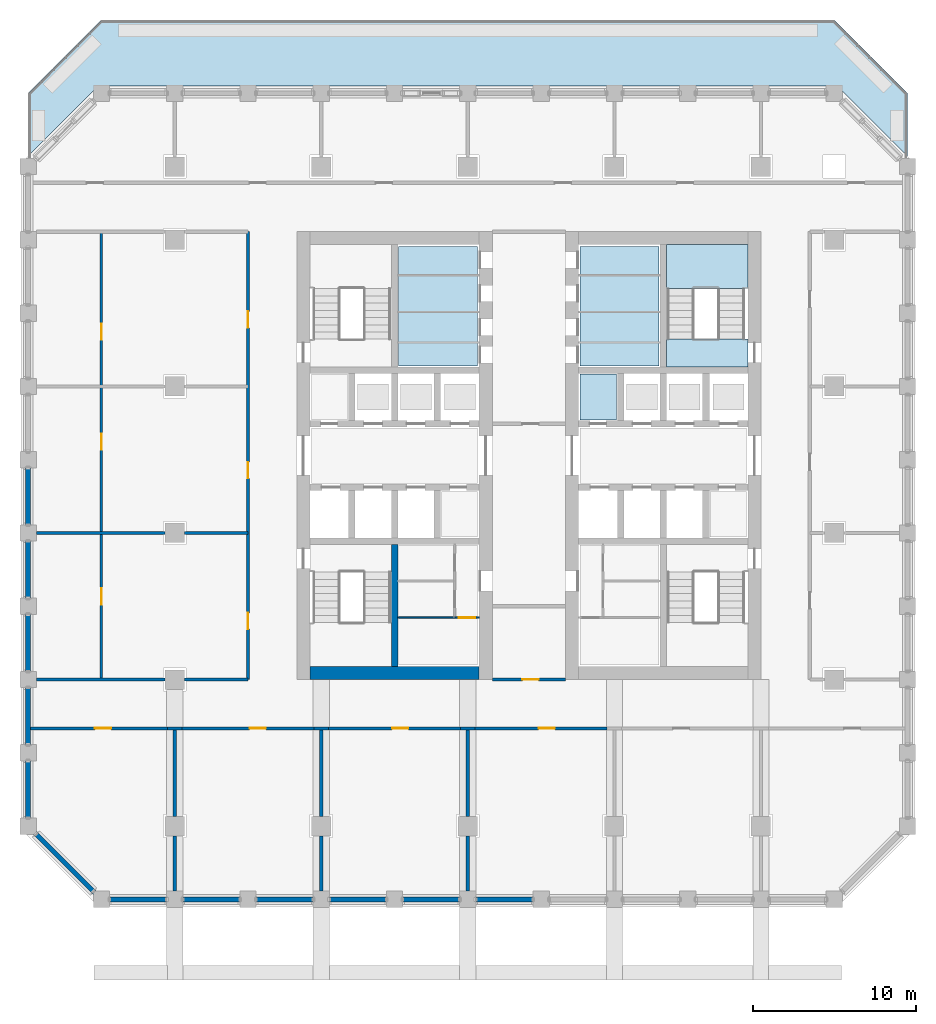
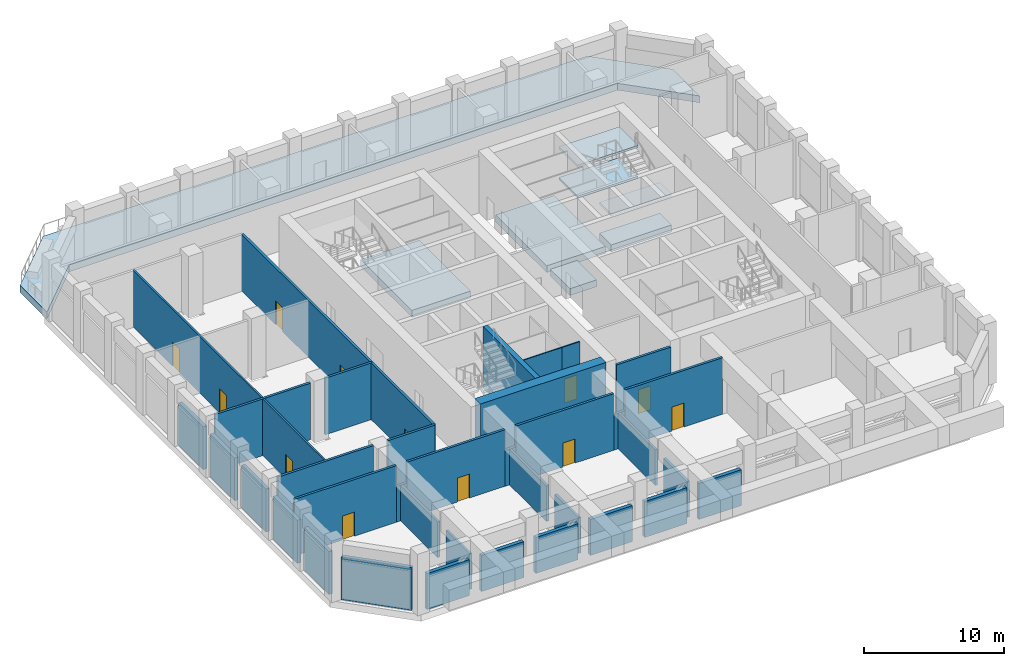
# One storey, part 3 of 20: 36 walls, 12 doors, 8 slabs, 12 openings, 1 element without a shape of its own.
"""IFC4 building model written with IfcOpenShell, lengths in metres."""

from ifc_helpers import new_model, si_unit, direction, frame, frame_2d, origin, place, context, subcontext, project, spatial, polyline, rectangle, outline, extrude, material, layer, layer_set, type_object, element, fill, aggregate, save


model = new_model("IFC4")

# Units and contexts
model_context = context("Model", 3, precision=1e-05, world=origin(), true_north=direction((0.0, 1.0)))
body_context = subcontext(model_context, "Body", "Model", "MODEL_VIEW")
ifc_project = project(units=[si_unit("LENGTHUNIT", "METRE"), si_unit("AREAUNIT", "SQUARE_METRE"), si_unit("VOLUMEUNIT", "CUBIC_METRE"), si_unit("PLANEANGLEUNIT", "RADIAN"), si_unit("MASSUNIT", "GRAM", prefix="KILO")], contexts=[model_context])

# Site, building, storey
site_placement = place(None, origin())
site = spatial("IfcSite", under=ifc_project, at=site_placement, CompositionType="ELEMENT")
building_placement = place(site_placement, origin())
building = spatial("IfcBuilding", under=site, at=building_placement, Name="Corbel Stack Research Tower", CompositionType="ELEMENT")
storey_placement = place(building_placement, frame((0.0, 0.0, 151.39990234375)))
storey = spatial("IfcBuildingStorey", under=building, at=storey_placement, Name="L34", CompositionType="ELEMENT", Elevation=151.39990234375)

# Slabs
ifc_material_1 = material(Name="Concrete C45/55", Category="concrete")
ifc_layer_1 = layer(ifc_material_1, 0.60009765625)
ifc_layer_set_1 = layer_set([ifc_layer_1], Name="Concrete C45/55")
slab_type_1 = type_object("IfcSlabType", Name="PT-600", PredefinedType="FLOOR", material=ifc_layer_set_1)
slab_1_placement = place(storey_placement, frame((0.0, 0.0, -0.599853515625)))
element("IfcSlab", 1, at=slab_1_placement, inside=storey, type_object=slab_type_1, Name="West core floor L34", PredefinedType="FLOOR", context=body_context, shape_type="SweptSolid", body=[
    extrude(outline(polyline([(0.60009765625, 17.60009765625), (-4.25, 17.60009765625), (-4.25, 10.25), (0.60009765625, 10.25), (0.60009765625, 17.60009765625)])), origin(), (0.0, 0.0, 1.0), 0.599853515625),
])
slab_2_placement = place(storey_placement, frame((0.0, 0.0, -0.599853515625)))
element("IfcSlab", 2, at=slab_2_placement, inside=storey, type_object=slab_type_1, Name="East core floor L34", PredefinedType="FLOOR", context=body_context, shape_type="SweptSolid", body=[
    extrude(outline(polyline([(6.89990234375, 6.949951171875), (9.125, 6.949951171875), (9.125, 9.75), (6.89990234375, 9.75), (6.89990234375, 6.949951171875)])), origin(), (0.0, 0.0, 1.0), 0.599853515625),
])
slab_3_placement = place(storey_placement, frame((0.0, 0.0, -0.599853515625)))
element("IfcSlab", 3, at=slab_3_placement, inside=storey, type_object=slab_type_1, Name="East core floor L34", PredefinedType="FLOOR", context=body_context, shape_type="SweptSolid", body=[
    extrude(outline(polyline([(6.89990234375, 17.60009765625), (6.89990234375, 10.25), (11.75, 10.25), (11.75, 17.60009765625), (6.89990234375, 17.60009765625)])), origin(), (0.0, 0.0, 1.0), 0.599853515625),
])
slab_4_placement = place(storey_placement, frame((0.0, 0.0, -0.599853515625)))
element("IfcSlab", 4, at=slab_4_placement, inside=storey, type_object=slab_type_1, Name="Stair floor landing ST-E2", PredefinedType="FLOOR", context=body_context, shape_type="SweptSolid", body=[
    extrude(outline(polyline([(12.199951171875, 10.199951171875), (17.199951171875, 10.199951171875), (17.199951171875, 11.89990234375), (12.199951171875, 11.89990234375), (12.199951171875, 10.199951171875)])), origin(), (0.0, 0.0, 1.0), 0.599853515625),
])

# Stair, slabs
ifc_material_2 = material(Name="Concrete C40/50", Category="concrete")
stair_type = type_object("IfcStairType", Name="Exit stair 32 risers, 443 going", PredefinedType="HALF_TURN_STAIR", material=ifc_material_2)
stair_placement = place(storey_placement, origin())
stair = element("IfcStair", 5, at=stair_placement, inside=storey, type_object=stair_type, Name="L34 Exit stair ST-E2", PredefinedType="HALF_TURN_STAIR")
ifc_material_3 = material(Name="Concrete C40/50", Category="concrete")
ifc_layer_2 = layer(ifc_material_3, 0.199951171875)
ifc_layer_set_2 = layer_set([ifc_layer_2], Name="Concrete C40/50")
slab_type_2 = type_object("IfcSlabType", Name="Stair landing 200 C40/50", PredefinedType="LANDING", material=ifc_layer_set_2)
slab_5_placement = place(storey_placement, frame((0.0, 0.0, 1.150146484375)))
slab_5 = element("IfcSlab", 6, at=slab_5_placement, type_object=slab_type_2, Name="ST-E2 landing 1", PredefinedType="LANDING", context=body_context, shape_type="SweptSolid", body=[
    extrude(outline(polyline([(12.199951171875, 15.0009765625), (12.199951171875, 17.699951171875), (17.199951171875, 17.699951171875), (17.199951171875, 15.0009765625), (12.199951171875, 15.0009765625)])), origin(), (0.0, 0.0, 1.0), 0.199951171875),
])
slab_6_placement = place(storey_placement, frame((0.0, 0.0, 2.5)))
slab_6 = element("IfcSlab", 7, at=slab_6_placement, type_object=slab_type_2, Name="ST-E2 landing 2", PredefinedType="LANDING", context=body_context, shape_type="SweptSolid", body=[
    extrude(outline(polyline([(12.199951171875, 10.199951171875), (12.199951171875, 11.89990234375), (17.199951171875, 11.89990234375), (17.199951171875, 10.199951171875), (12.199951171875, 10.199951171875)])), origin(), (0.0, 0.0, 1.0), 0.2001953125),
])
slab_7_placement = place(storey_placement, frame((0.0, 0.0, 3.85009765625)))
slab_7 = element("IfcSlab", 8, at=slab_7_placement, type_object=slab_type_2, Name="ST-E2 landing 3", PredefinedType="LANDING", context=body_context, shape_type="SweptSolid", body=[
    extrude(outline(polyline([(12.199951171875, 15.0009765625), (12.199951171875, 17.699951171875), (17.199951171875, 17.699951171875), (17.199951171875, 15.0009765625), (12.199951171875, 15.0009765625)])), origin(), (0.0, 0.0, 1.0), 0.199951171875),
])
aggregate(stair, [slab_5, slab_6, slab_7])

# Slab
ifc_material_4 = material(Name="Concrete C45/55", Category="concrete")
ifc_layer_3 = layer(ifc_material_4, 0.60009765625)
ifc_layer_set_3 = layer_set([ifc_layer_3], Name="Concrete C45/55")
slab_type_3 = type_object("IfcSlabType", Name="TS-600", PredefinedType="ROOF", material=ifc_layer_set_3)
slab_8_placement = place(storey_placement, frame((0.0, 0.0, -0.599853515625)))
element("IfcSlab", 9, at=slab_8_placement, inside=storey, type_object=slab_type_3, Name="Terrace slab L34", PredefinedType="ROOF", context=body_context, shape_type="SweptSolid", body=[
    extrude(outline(polyline([(-27.0, 23.136474609375), (-22.686279296875, 27.449951171875), (22.686279296875, 27.449951171875), (27.0, 23.136474609375), (27.0, 27.0), (22.5, 31.5), (-22.5, 31.5), (-27.0, 27.0), (-27.0, 23.136474609375)])), origin(), (0.0, 0.0, 1.0), 0.599853515625),
])

# Walls
ifc_material_5 = material(Name="Concrete C60/75", Category="concrete")
ifc_layer_4 = layer(ifc_material_5, 0.39990234375)
ifc_layer_set_4 = layer_set([ifc_layer_4], Name="Concrete C60/75")
wall_type_1 = type_object("IfcWallType", Name="CW-400-60", PredefinedType="SHEAR", material=ifc_layer_set_4)
wall_1_placement = place(storey_placement, frame((-4.5, -8.199951171875, 0.0), z_axis=(0.0, 0.0, 1.0), x_axis=(0.0, 1.0, 0.0)))
element("IfcWall", 10, at=wall_1_placement, inside=storey, type_object=wall_type_1, Name="West core wall, south stair and WC L34", PredefinedType="SHEAR", context=body_context, shape_type="SweptSolid", body=[
    extrude(rectangle(XDim=7.5, YDim=0.39990234375, at=frame_2d((3.75, 0.0))), origin(), (0.0, 0.0, 1.0), 5.400146484375),
])
ifc_material_6 = material(Name="Concrete C60/75", Category="concrete")
ifc_layer_5 = layer(ifc_material_6, 0.800048828125)
ifc_layer_set_5 = layer_set([ifc_layer_5], Name="Concrete C60/75")
wall_type_2 = type_object("IfcWallType", Name="CW-800-60", PredefinedType="SHEAR", material=ifc_layer_set_5)
wall_2_placement = place(storey_placement, frame((-9.699951171875, -8.60009765625, 0.0), z_axis=(0.0, 0.0, 1.0), x_axis=(1.0, 0.0, 0.0)))
element("IfcWall", 11, at=wall_2_placement, inside=storey, type_object=wall_type_2, Name="West core wall, south end L34", PredefinedType="SHEAR", context=body_context, shape_type="SweptSolid", body=[
    extrude(rectangle(XDim=10.39990234375, YDim=0.800048828125, at=frame_2d((5.199951171875, 0.0))), origin(), (0.0, 0.0, 1.0), 5.400146484375),
])

# Wall, opening, door
ifc_material_7 = material(Name="Gypsum board")
ifc_layer_6 = layer(ifc_material_7, 0.10009765625)
ifc_layer_set_6 = layer_set([ifc_layer_6], Name="Gypsum board")
wall_type_3 = type_object("IfcWallType", Name="Core partition 100", PredefinedType="PARTITIONING", material=ifc_layer_set_6)
wall_3_placement = place(storey_placement, frame((-0.800048828125, -5.199951171875, 0.0), z_axis=(0.0, 0.0, 1.0), x_axis=(1.0, 0.0, 0.0)))
wall_3 = element("IfcWall", 12, at=wall_3_placement, inside=storey, type_object=wall_type_3, Name="Core partition W", PredefinedType="PARTITIONING", context=body_context, shape_type="SweptSolid", body=[
    extrude(rectangle(XDim=1.5, YDim=0.10009765625, at=frame_2d((0.75, 0.0))), origin(), (0.0, 0.0, 1.0), 4.9501953125),
])
opening_1_placement = place(wall_3_placement, frame((0.25, 0.0, 0.0)))
opening_1 = element("IfcOpeningElement", 13, at=opening_1_placement, cuts=wall_3, Name="Opening CR-W66-W2-1000", PredefinedType="OPENING", context=body_context, shape_type="SweptSolid", body=[
    extrude(rectangle(XDim=1.0, YDim=2.10009765625, at=frame_2d((0.5, 1.050048828125))), frame((0.0, 0.06005859375, 0.0), z_axis=(0.0, -1.0, 0.0), x_axis=(1.0, 0.0, 0.0)), (0.0, 0.0, 1.0), 0.1201171875),
])
ifc_material_8 = material(Name="Painted timber door", Category="wood")
door_type_1 = type_object("IfcDoorType", Name="WC door 1000 x 2100 right hand", OperationType="SINGLE_SWING_RIGHT", PredefinedType="DOOR", material=ifc_material_8)
door_1_placement = place(opening_1_placement, origin())
door_1 = element("IfcDoor", 14, at=door_1_placement, inside=storey, type_object=door_type_1, Name="Accessible WC door W core", OperationType="SINGLE_SWING_RIGHT", OverallHeight=2.10009765625, OverallWidth=1.0, PredefinedType="DOOR", context=body_context, shape_type="SweptSolid", body=[
    extrude(rectangle(XDim=1.0, YDim=2.10009765625, at=frame_2d((0.5, 1.050048828125))), frame((0.0, 0.02490234375, 0.0), z_axis=(0.0, -1.0, 0.0), x_axis=(1.0, 0.0, 0.0)), (0.0, 0.0, 1.0), 0.050048828125),
])
fill(opening_1, door_1)

# Walls
wall_4_placement = place(storey_placement, frame((-4.300048828125, -5.199951171875, 0.0), z_axis=(0.0, 0.0, 1.0), x_axis=(1.0, 0.0, 0.0)))
element("IfcWall", 15, at=wall_4_placement, inside=storey, type_object=wall_type_3, Name="Core partition W", PredefinedType="PARTITIONING", context=body_context, shape_type="SweptSolid", body=[
    extrude(rectangle(XDim=3.5, YDim=0.10009765625, at=frame_2d((1.75, 0.0))), origin(), (0.0, 0.0, 1.0), 4.9501953125),
])
ifc_material_9 = material(Name="Fire-rated gypsum board partition on steel studs", Category="steel")
ifc_layer_7 = layer(ifc_material_9, 0.199951171875)
ifc_layer_set_7 = layer_set([ifc_layer_7], Name="Fire-rated gypsum board partition on steel studs")
wall_type_4 = type_object("IfcWallType", Name="Fire-rated partition 200 EI 60", PredefinedType="PARTITIONING", material=ifc_layer_set_7)
wall_5_placement = place(storey_placement, frame((-18.0, -22.0, 0.0), z_axis=(0.0, 0.0, 1.0), x_axis=(0.0, 1.0, 0.0)))
element("IfcWall", 16, at=wall_5_placement, inside=storey, type_object=wall_type_4, Name="Partition L34-002", PredefinedType="PARTITIONING", context=body_context, shape_type="SweptSolid", body=[
    extrude(rectangle(XDim=3.39990234375, YDim=0.199951171875, at=frame_2d((1.699951171875, 0.0))), origin(), (0.0, 0.0, 1.0), 3.1201171875),
])
wall_6_placement = place(storey_placement, frame((-18.0, -17.39990234375, 0.0), z_axis=(0.0, 0.0, 1.0), x_axis=(0.0, 1.0, 0.0)))
element("IfcWall", 17, at=wall_6_placement, inside=storey, type_object=wall_type_4, Name="Partition L34-003", PredefinedType="PARTITIONING", context=body_context, shape_type="SweptSolid", body=[
    extrude(rectangle(XDim=5.39990234375, YDim=0.199951171875, at=frame_2d((2.699951171875, 0.0))), origin(), (0.0, 0.0, 1.0), 3.1201171875),
])

# Wall, openings, doors
wall_7_placement = place(storey_placement, frame((-13.5, -9.0, 0.0), z_axis=(0.0, 0.0, 1.0), x_axis=(0.0, 1.0, 0.0)))
wall_7 = element("IfcWall", 18, at=wall_7_placement, inside=storey, type_object=wall_type_4, Name="Partition L34-005", PredefinedType="PARTITIONING", context=body_context, shape_type="SweptSolid", body=[
    extrude(rectangle(XDim=27.5, YDim=0.199951171875, at=frame_2d((13.75, 0.0))), origin(), (0.0, 0.0, 1.0), 4.9501953125),
])
opening_2_placement = place(wall_7_placement, frame((3.10009765625, 0.0, 0.0)))
opening_2 = element("IfcOpeningElement", 19, at=opening_2_placement, cuts=wall_7, Name="Opening PLANTL34-004", PredefinedType="OPENING", context=body_context, shape_type="SweptSolid", body=[
    extrude(rectangle(XDim=1.0, YDim=2.10009765625, at=frame_2d((0.5, 1.050048828125))), frame((0.0, 0.10986328125, 0.0), z_axis=(0.0, -1.0, 0.0), x_axis=(1.0, 0.0, 0.0)), (0.0, 0.0, 1.0), 0.219970703125),
])
opening_3_placement = place(wall_7_placement, frame((12.35009765625, 0.0, 0.0)))
opening_3 = element("IfcOpeningElement", 20, at=opening_3_placement, cuts=wall_7, Name="Opening PLANTL34-005", PredefinedType="OPENING", context=body_context, shape_type="SweptSolid", body=[
    extrude(rectangle(XDim=1.0, YDim=2.10009765625, at=frame_2d((0.5, 1.050048828125))), frame((0.0, 0.10986328125, 0.0), z_axis=(0.0, -1.0, 0.0), x_axis=(1.0, 0.0, 0.0)), (0.0, 0.0, 1.0), 0.219970703125),
])
opening_4_placement = place(wall_7_placement, frame((21.60009765625, 0.0, 0.0)))
opening_4 = element("IfcOpeningElement", 21, at=opening_4_placement, cuts=wall_7, Name="Opening PLANTL34-006", PredefinedType="OPENING", context=body_context, shape_type="SweptSolid", body=[
    extrude(rectangle(XDim=1.0, YDim=2.10009765625, at=frame_2d((0.5, 1.050048828125))), frame((0.0, 0.10986328125, 0.0), z_axis=(0.0, -1.0, 0.0), x_axis=(1.0, 0.0, 0.0)), (0.0, 0.0, 1.0), 0.219970703125),
])
ifc_material_10 = material(Name="Painted steel fire door", Category="steel")
door_type_2 = type_object("IfcDoorType", Name="Fire door FD30S 1000 x 2100", OperationType="NOTDEFINED", PredefinedType="DOOR", material=ifc_material_10)
door_2_placement = place(opening_2_placement, origin())
door_2 = element("IfcDoor", 22, at=door_2_placement, inside=storey, type_object=door_type_2, Name="Door PLANTL34-004", OperationType="SINGLE_SWING_LEFT", OverallHeight=2.10009765625, OverallWidth=1.0, PredefinedType="DOOR", context=body_context, shape_type="SweptSolid", body=[
    extrude(rectangle(XDim=1.0, YDim=2.10009765625, at=frame_2d((0.5, 1.050048828125))), frame((0.0, 0.02490234375, 0.0), z_axis=(0.0, -1.0, 0.0), x_axis=(1.0, 0.0, 0.0)), (0.0, 0.0, 1.0), 0.050048828125),
])
fill(opening_2, door_2)
door_3_placement = place(opening_3_placement, origin())
door_3 = element("IfcDoor", 23, at=door_3_placement, inside=storey, type_object=door_type_2, Name="Door PLANTL34-005", OperationType="SINGLE_SWING_LEFT", OverallHeight=2.10009765625, OverallWidth=1.0, PredefinedType="DOOR", context=body_context, shape_type="SweptSolid", body=[
    extrude(rectangle(XDim=1.0, YDim=2.10009765625, at=frame_2d((0.5, 1.050048828125))), frame((0.0, 0.02490234375, 0.0), z_axis=(0.0, -1.0, 0.0), x_axis=(1.0, 0.0, 0.0)), (0.0, 0.0, 1.0), 0.050048828125),
])
fill(opening_3, door_3)
door_4_placement = place(opening_4_placement, origin())
door_4 = element("IfcDoor", 24, at=door_4_placement, inside=storey, type_object=door_type_2, Name="Door PLANTL34-006", OperationType="SINGLE_SWING_RIGHT", OverallHeight=2.10009765625, OverallWidth=1.0, PredefinedType="DOOR", context=body_context, shape_type="SweptSolid", body=[
    extrude(rectangle(XDim=1.0, YDim=2.10009765625, at=frame_2d((0.5, 1.050048828125))), frame((0.0, 0.02490234375, 0.0), z_axis=(0.0, -1.0, 0.0), x_axis=(1.0, 0.0, 0.0)), (0.0, 0.0, 1.0), 0.050048828125),
])
fill(opening_4, door_4)

# Walls
wall_8_placement = place(storey_placement, frame((-9.0, -22.0, 0.0), z_axis=(0.0, 0.0, 1.0), x_axis=(0.0, 1.0, 0.0)))
element("IfcWall", 25, at=wall_8_placement, inside=storey, type_object=wall_type_4, Name="Partition L34-006", PredefinedType="PARTITIONING", context=body_context, shape_type="SweptSolid", body=[
    extrude(rectangle(XDim=3.39990234375, YDim=0.199951171875, at=frame_2d((1.699951171875, 0.0))), origin(), (0.0, 0.0, 1.0), 3.1201171875),
])
wall_9_placement = place(storey_placement, frame((-9.0, -17.39990234375, 0.0), z_axis=(0.0, 0.0, 1.0), x_axis=(0.0, 1.0, 0.0)))
element("IfcWall", 26, at=wall_9_placement, inside=storey, type_object=wall_type_4, Name="Partition L34-007", PredefinedType="PARTITIONING", context=body_context, shape_type="SweptSolid", body=[
    extrude(rectangle(XDim=5.39990234375, YDim=0.199951171875, at=frame_2d((2.699951171875, 0.0))), origin(), (0.0, 0.0, 1.0), 3.1201171875),
])
wall_10_placement = place(storey_placement, frame((0.0, -22.0, 0.0), z_axis=(0.0, 0.0, 1.0), x_axis=(0.0, 1.0, 0.0)))
element("IfcWall", 27, at=wall_10_placement, inside=storey, type_object=wall_type_4, Name="Partition L34-009", PredefinedType="PARTITIONING", context=body_context, shape_type="SweptSolid", body=[
    extrude(rectangle(XDim=3.39990234375, YDim=0.199951171875, at=frame_2d((1.699951171875, 0.0))), origin(), (0.0, 0.0, 1.0), 3.1201171875),
])
wall_11_placement = place(storey_placement, frame((0.0, -17.39990234375, 0.0), z_axis=(0.0, 0.0, 1.0), x_axis=(0.0, 1.0, 0.0)))
element("IfcWall", 28, at=wall_11_placement, inside=storey, type_object=wall_type_4, Name="Partition L34-010", PredefinedType="PARTITIONING", context=body_context, shape_type="SweptSolid", body=[
    extrude(rectangle(XDim=5.39990234375, YDim=0.199951171875, at=frame_2d((2.699951171875, 0.0))), origin(), (0.0, 0.0, 1.0), 3.1201171875),
])

# Wall, opening, door
wall_12_placement = place(storey_placement, frame((-18.449951171875, -12.0, 0.0), z_axis=(0.0, 0.0, 1.0), x_axis=(-1.0, 0.0, 0.0)))
wall_12 = element("IfcWall", 29, at=wall_12_placement, inside=storey, type_object=wall_type_4, Name="Partition L34-019", PredefinedType="PARTITIONING", context=body_context, shape_type="SweptSolid", body=[
    extrude(rectangle(XDim=8.400146484375, YDim=0.199951171875, at=frame_2d((4.2001953125, 0.0))), origin(), (0.0, 0.0, 1.0), 4.9501953125),
])
opening_5_placement = place(wall_12_placement, frame((3.449951171875, 0.0, 0.0)))
opening_5 = element("IfcOpeningElement", 30, at=opening_5_placement, cuts=wall_12, Name="Opening PLANTL34-007", PredefinedType="OPENING", context=body_context, shape_type="SweptSolid", body=[
    extrude(rectangle(XDim=1.0, YDim=2.10009765625, at=frame_2d((0.5, 1.050048828125))), frame((0.0, 0.10986328125, 0.0), z_axis=(0.0, -1.0, 0.0), x_axis=(1.0, 0.0, 0.0)), (0.0, 0.0, 1.0), 0.219970703125),
])
door_5_placement = place(opening_5_placement, origin())
door_5 = element("IfcDoor", 31, at=door_5_placement, inside=storey, type_object=door_type_2, Name="Door PLANTL34-007", OperationType="SINGLE_SWING_LEFT", OverallHeight=2.10009765625, OverallWidth=1.0, PredefinedType="DOOR", context=body_context, shape_type="SweptSolid", body=[
    extrude(rectangle(XDim=1.0, YDim=2.10009765625, at=frame_2d((0.5, 1.050048828125))), frame((0.0, 0.02490234375, 0.0), z_axis=(0.0, -1.0, 0.0), x_axis=(1.0, 0.0, 0.0)), (0.0, 0.0, 1.0), 0.050048828125),
])
fill(opening_5, door_5)

# Wall
wall_13_placement = place(storey_placement, frame((-18.449951171875, -12.0, 0.0), z_axis=(0.0, 0.0, 1.0), x_axis=(1.0, 0.0, 0.0)))
element("IfcWall", 32, at=wall_13_placement, inside=storey, type_object=wall_type_4, Name="Partition L34-020", PredefinedType="PARTITIONING", context=body_context, shape_type="SweptSolid", body=[
    extrude(rectangle(XDim=0.89990234375, YDim=0.199951171875, at=frame_2d((0.449951171875, 0.0))), origin(), (0.0, 0.0, 1.0), 3.1201171875),
])

# Wall, opening, door
wall_14_placement = place(storey_placement, frame((-9.449951171875, -12.0, 0.0), z_axis=(0.0, 0.0, 1.0), x_axis=(-1.0, 0.0, 0.0)))
wall_14 = element("IfcWall", 33, at=wall_14_placement, inside=storey, type_object=wall_type_4, Name="Partition L34-021", PredefinedType="PARTITIONING", context=body_context, shape_type="SweptSolid", body=[
    extrude(rectangle(XDim=8.10009765625, YDim=0.199951171875, at=frame_2d((4.050048828125, 0.0))), origin(), (0.0, 0.0, 1.0), 4.9501953125),
])
opening_6_placement = place(wall_14_placement, frame((2.949951171875, 0.0, 0.0)))
opening_6 = element("IfcOpeningElement", 34, at=opening_6_placement, cuts=wall_14, Name="Opening PLANTL34-008", PredefinedType="OPENING", context=body_context, shape_type="SweptSolid", body=[
    extrude(rectangle(XDim=1.0, YDim=2.10009765625, at=frame_2d((0.5, 1.050048828125))), frame((0.0, 0.10986328125, 0.0), z_axis=(0.0, -1.0, 0.0), x_axis=(1.0, 0.0, 0.0)), (0.0, 0.0, 1.0), 0.219970703125),
])
door_6_placement = place(opening_6_placement, origin())
door_6 = element("IfcDoor", 35, at=door_6_placement, inside=storey, type_object=door_type_2, Name="Door PLANTL34-008", OperationType="SINGLE_SWING_LEFT", OverallHeight=2.10009765625, OverallWidth=1.0, PredefinedType="DOOR", context=body_context, shape_type="SweptSolid", body=[
    extrude(rectangle(XDim=1.0, YDim=2.10009765625, at=frame_2d((0.5, 1.050048828125))), frame((0.0, 0.02490234375, 0.0), z_axis=(0.0, -1.0, 0.0), x_axis=(1.0, 0.0, 0.0)), (0.0, 0.0, 1.0), 0.050048828125),
])
fill(opening_6, door_6)

# Wall
wall_15_placement = place(storey_placement, frame((-9.449951171875, -12.0, 0.0), z_axis=(0.0, 0.0, 1.0), x_axis=(1.0, 0.0, 0.0)))
element("IfcWall", 36, at=wall_15_placement, inside=storey, type_object=wall_type_4, Name="Partition L34-022", PredefinedType="PARTITIONING", context=body_context, shape_type="SweptSolid", body=[
    extrude(rectangle(XDim=0.89990234375, YDim=0.199951171875, at=frame_2d((0.449951171875, 0.0))), origin(), (0.0, 0.0, 1.0), 3.1201171875),
])

# Wall, opening, door
wall_16_placement = place(storey_placement, frame((-0.449951171875, -12.0, 0.0), z_axis=(0.0, 0.0, 1.0), x_axis=(-1.0, 0.0, 0.0)))
wall_16 = element("IfcWall", 37, at=wall_16_placement, inside=storey, type_object=wall_type_4, Name="Partition L34-023", PredefinedType="PARTITIONING", context=body_context, shape_type="SweptSolid", body=[
    extrude(rectangle(XDim=8.10009765625, YDim=0.199951171875, at=frame_2d((4.050048828125, 0.0))), origin(), (0.0, 0.0, 1.0), 4.9501953125),
])
opening_7_placement = place(wall_16_placement, frame((3.199951171875, 0.0, 0.0)))
opening_7 = element("IfcOpeningElement", 38, at=opening_7_placement, cuts=wall_16, Name="Opening PLANTL34-009", PredefinedType="OPENING", context=body_context, shape_type="SweptSolid", body=[
    extrude(rectangle(XDim=1.0, YDim=2.10009765625, at=frame_2d((0.5, 1.050048828125))), frame((0.0, 0.10986328125, 0.0), z_axis=(0.0, -1.0, 0.0), x_axis=(1.0, 0.0, 0.0)), (0.0, 0.0, 1.0), 0.219970703125),
])
door_7_placement = place(opening_7_placement, origin())
door_7 = element("IfcDoor", 39, at=door_7_placement, inside=storey, type_object=door_type_2, Name="Door PLANTL34-009", OperationType="SINGLE_SWING_LEFT", OverallHeight=2.10009765625, OverallWidth=1.0, PredefinedType="DOOR", context=body_context, shape_type="SweptSolid", body=[
    extrude(rectangle(XDim=1.0, YDim=2.10009765625, at=frame_2d((0.5, 1.050048828125))), frame((0.0, 0.02490234375, 0.0), z_axis=(0.0, -1.0, 0.0), x_axis=(1.0, 0.0, 0.0)), (0.0, 0.0, 1.0), 0.050048828125),
])
fill(opening_7, door_7)

# Wall
wall_17_placement = place(storey_placement, frame((-0.449951171875, -12.0, 0.0), z_axis=(0.0, 0.0, 1.0), x_axis=(1.0, 0.0, 0.0)))
element("IfcWall", 40, at=wall_17_placement, inside=storey, type_object=wall_type_4, Name="Partition L34-024", PredefinedType="PARTITIONING", context=body_context, shape_type="SweptSolid", body=[
    extrude(rectangle(XDim=0.89990234375, YDim=0.199951171875, at=frame_2d((0.449951171875, 0.0))), origin(), (0.0, 0.0, 1.0), 3.1201171875),
])

# Wall, opening, door
wall_18_placement = place(storey_placement, frame((8.550048828125, -12.0, 0.0), z_axis=(0.0, 0.0, 1.0), x_axis=(-1.0, 0.0, 0.0)))
wall_18 = element("IfcWall", 41, at=wall_18_placement, inside=storey, type_object=wall_type_4, Name="Partition L34-025", PredefinedType="PARTITIONING", context=body_context, shape_type="SweptSolid", body=[
    extrude(rectangle(XDim=8.10009765625, YDim=0.199951171875, at=frame_2d((4.050048828125, 0.0))), origin(), (0.0, 0.0, 1.0), 4.9501953125),
])
opening_8_placement = place(wall_18_placement, frame((3.199951171875, 0.0, 0.0)))
opening_8 = element("IfcOpeningElement", 42, at=opening_8_placement, cuts=wall_18, Name="Opening PLANTL34-010", PredefinedType="OPENING", context=body_context, shape_type="SweptSolid", body=[
    extrude(rectangle(XDim=1.0, YDim=2.10009765625, at=frame_2d((0.5, 1.050048828125))), frame((0.0, 0.10986328125, 0.0), z_axis=(0.0, -1.0, 0.0), x_axis=(1.0, 0.0, 0.0)), (0.0, 0.0, 1.0), 0.219970703125),
])
door_8_placement = place(opening_8_placement, origin())
door_8 = element("IfcDoor", 43, at=door_8_placement, inside=storey, type_object=door_type_2, Name="Door PLANTL34-010", OperationType="SINGLE_SWING_LEFT", OverallHeight=2.10009765625, OverallWidth=1.0, PredefinedType="DOOR", context=body_context, shape_type="SweptSolid", body=[
    extrude(rectangle(XDim=1.0, YDim=2.10009765625, at=frame_2d((0.5, 1.050048828125))), frame((0.0, 0.02490234375, 0.0), z_axis=(0.0, -1.0, 0.0), x_axis=(1.0, 0.0, 0.0)), (0.0, 0.0, 1.0), 0.050048828125),
])
fill(opening_8, door_8)

# Walls
wall_19_placement = place(storey_placement, frame((-26.5, -9.0, 0.0), z_axis=(0.0, 0.0, 1.0), x_axis=(1.0, 0.0, 0.0)))
element("IfcWall", 44, at=wall_19_placement, inside=storey, type_object=wall_type_4, Name="Partition L34-030", PredefinedType="PARTITIONING", context=body_context, shape_type="SweptSolid", body=[
    extrude(rectangle(XDim=7.89990234375, YDim=0.199951171875, at=frame_2d((3.949951171875, 0.0))), origin(), (0.0, 0.0, 1.0), 4.9501953125),
])
wall_20_placement = place(storey_placement, frame((-17.39990234375, -9.0, 0.0), z_axis=(0.0, 0.0, 1.0), x_axis=(1.0, 0.0, 0.0)))
element("IfcWall", 45, at=wall_20_placement, inside=storey, type_object=wall_type_4, Name="Partition L34-031", PredefinedType="PARTITIONING", context=body_context, shape_type="SweptSolid", body=[
    extrude(rectangle(XDim=3.89990234375, YDim=0.199951171875, at=frame_2d((1.949951171875, 0.0))), origin(), (0.0, 0.0, 1.0), 4.9501953125),
])

# Wall, opening, door
wall_21_placement = place(storey_placement, frame((1.5, -9.0, 0.0), z_axis=(0.0, 0.0, 1.0), x_axis=(1.0, 0.0, 0.0)))
wall_21 = element("IfcWall", 46, at=wall_21_placement, inside=storey, type_object=wall_type_4, Name="Partition L34-032", PredefinedType="PARTITIONING", context=body_context, shape_type="SweptSolid", body=[
    extrude(rectangle(XDim=4.5, YDim=0.199951171875, at=frame_2d((2.25, 0.0))), origin(), (0.0, 0.0, 1.0), 4.9501953125),
])
opening_9_placement = place(wall_21_placement, frame((1.85009765625, 0.0, 0.0)))
opening_9 = element("IfcOpeningElement", 47, at=opening_9_placement, cuts=wall_21, Name="Opening PLANTL34-013", PredefinedType="OPENING", context=body_context, shape_type="SweptSolid", body=[
    extrude(rectangle(XDim=1.0, YDim=2.10009765625, at=frame_2d((0.5, 1.050048828125))), frame((0.0, 0.10986328125, 0.0), z_axis=(0.0, -1.0, 0.0), x_axis=(1.0, 0.0, 0.0)), (0.0, 0.0, 1.0), 0.219970703125),
])
door_9_placement = place(opening_9_placement, origin())
door_9 = element("IfcDoor", 48, at=door_9_placement, inside=storey, type_object=door_type_2, Name="Door PLANTL34-013", OperationType="SINGLE_SWING_RIGHT", OverallHeight=2.10009765625, OverallWidth=1.0, PredefinedType="DOOR", context=body_context, shape_type="SweptSolid", body=[
    extrude(rectangle(XDim=1.0, YDim=2.10009765625, at=frame_2d((0.5, 1.050048828125))), frame((0.0, 0.02490234375, 0.0), z_axis=(0.0, -1.0, 0.0), x_axis=(1.0, 0.0, 0.0)), (0.0, 0.0, 1.0), 0.050048828125),
])
fill(opening_9, door_9)

# Walls
wall_22_placement = place(storey_placement, frame((-26.5, 0.0, 0.0), z_axis=(0.0, 0.0, 1.0), x_axis=(1.0, 0.0, 0.0)))
element("IfcWall", 49, at=wall_22_placement, inside=storey, type_object=wall_type_4, Name="Partition L34-036", PredefinedType="PARTITIONING", context=body_context, shape_type="SweptSolid", body=[
    extrude(rectangle(XDim=7.89990234375, YDim=0.199951171875, at=frame_2d((3.949951171875, 0.0))), origin(), (0.0, 0.0, 1.0), 4.9501953125),
])
wall_23_placement = place(storey_placement, frame((-17.39990234375, 0.0, 0.0), z_axis=(0.0, 0.0, 1.0), x_axis=(1.0, 0.0, 0.0)))
element("IfcWall", 50, at=wall_23_placement, inside=storey, type_object=wall_type_4, Name="Partition L34-037", PredefinedType="PARTITIONING", context=body_context, shape_type="SweptSolid", body=[
    extrude(rectangle(XDim=3.89990234375, YDim=0.199951171875, at=frame_2d((1.949951171875, 0.0))), origin(), (0.0, 0.0, 1.0), 4.9501953125),
])

# Wall, openings, doors
ifc_material_11 = material(Name="Gypsum board partition on steel studs", Category="steel")
ifc_layer_8 = layer(ifc_material_11, 0.14990234375)
ifc_layer_set_8 = layer_set([ifc_layer_8], Name="Gypsum board partition on steel studs")
wall_type_5 = type_object("IfcWallType", Name="Partition 150", PredefinedType="PARTITIONING", material=ifc_layer_set_8)
wall_24_placement = place(storey_placement, frame((-22.5, -9.0, 0.0), z_axis=(0.0, 0.0, 1.0), x_axis=(0.0, 1.0, 0.0)))
wall_24 = element("IfcWall", 51, at=wall_24_placement, inside=storey, type_object=wall_type_5, Name="Partition L34-001", PredefinedType="PARTITIONING", context=body_context, shape_type="SweptSolid", body=[
    extrude(rectangle(XDim=27.5, YDim=0.14990234375, at=frame_2d((13.75, 0.0))), origin(), (0.0, 0.0, 1.0), 4.9501953125),
])
opening_10_placement = place(wall_24_placement, frame((4.60009765625, 0.0, 0.0)))
opening_10 = element("IfcOpeningElement", 52, at=opening_10_placement, cuts=wall_24, Name="Opening PLANTL34-001", PredefinedType="OPENING", context=body_context, shape_type="SweptSolid", body=[
    extrude(rectangle(XDim=1.0, YDim=2.10009765625, at=frame_2d((0.5, 1.050048828125))), frame((0.0, 0.0849609375, 0.0), z_axis=(0.0, -1.0, 0.0), x_axis=(1.0, 0.0, 0.0)), (0.0, 0.0, 1.0), 0.169921875),
])
opening_11_placement = place(wall_24_placement, frame((14.10009765625, 0.0, 0.0)))
opening_11 = element("IfcOpeningElement", 53, at=opening_11_placement, cuts=wall_24, Name="Opening PLANTL34-002", PredefinedType="OPENING", context=body_context, shape_type="SweptSolid", body=[
    extrude(rectangle(XDim=1.0, YDim=2.10009765625, at=frame_2d((0.5, 1.050048828125))), frame((0.0, 0.0849609375, 0.0), z_axis=(0.0, -1.0, 0.0), x_axis=(1.0, 0.0, 0.0)), (0.0, 0.0, 1.0), 0.169921875),
])
opening_12_placement = place(wall_24_placement, frame((20.85009765625, 0.0, 0.0)))
opening_12 = element("IfcOpeningElement", 54, at=opening_12_placement, cuts=wall_24, Name="Opening PLANTL34-003", PredefinedType="OPENING", context=body_context, shape_type="SweptSolid", body=[
    extrude(rectangle(XDim=1.0, YDim=2.10009765625, at=frame_2d((0.5, 1.050048828125))), frame((0.0, 0.0849609375, 0.0), z_axis=(0.0, -1.0, 0.0), x_axis=(1.0, 0.0, 0.0)), (0.0, 0.0, 1.0), 0.169921875),
])
ifc_material_12 = material(Name="Painted timber door", Category="wood")
door_type_3 = type_object("IfcDoorType", Name="Single door 1000 x 2100", OperationType="NOTDEFINED", PredefinedType="DOOR", material=ifc_material_12)
door_10_placement = place(opening_10_placement, origin())
door_10 = element("IfcDoor", 55, at=door_10_placement, inside=storey, type_object=door_type_3, Name="Door PLANTL34-001", OperationType="SINGLE_SWING_LEFT", OverallHeight=2.10009765625, OverallWidth=1.0, PredefinedType="DOOR", context=body_context, shape_type="SweptSolid", body=[
    extrude(rectangle(XDim=1.0, YDim=2.10009765625, at=frame_2d((0.5, 1.050048828125))), frame((0.0, 0.02490234375, 0.0), z_axis=(0.0, -1.0, 0.0), x_axis=(1.0, 0.0, 0.0)), (0.0, 0.0, 1.0), 0.050048828125),
])
fill(opening_10, door_10)
door_11_placement = place(opening_11_placement, origin())
door_11 = element("IfcDoor", 56, at=door_11_placement, inside=storey, type_object=door_type_3, Name="Door PLANTL34-002", OperationType="SINGLE_SWING_RIGHT", OverallHeight=2.10009765625, OverallWidth=1.0, PredefinedType="DOOR", context=body_context, shape_type="SweptSolid", body=[
    extrude(rectangle(XDim=1.0, YDim=2.10009765625, at=frame_2d((0.5, 1.050048828125))), frame((0.0, 0.02490234375, 0.0), z_axis=(0.0, -1.0, 0.0), x_axis=(1.0, 0.0, 0.0)), (0.0, 0.0, 1.0), 0.050048828125),
])
fill(opening_11, door_11)
door_12_placement = place(opening_12_placement, origin())
door_12 = element("IfcDoor", 57, at=door_12_placement, inside=storey, type_object=door_type_3, Name="Door PLANTL34-003", OperationType="SINGLE_SWING_RIGHT", OverallHeight=2.10009765625, OverallWidth=1.0, PredefinedType="DOOR", context=body_context, shape_type="SweptSolid", body=[
    extrude(rectangle(XDim=1.0, YDim=2.10009765625, at=frame_2d((0.5, 1.050048828125))), frame((0.0, 0.02490234375, 0.0), z_axis=(0.0, -1.0, 0.0), x_axis=(1.0, 0.0, 0.0)), (0.0, 0.0, 1.0), 0.050048828125),
])
fill(opening_12, door_12)

# Walls
ifc_material_13 = material(Name="Concrete C45/55", Category="concrete")
ifc_layer_9 = layer(ifc_material_13, 0.300048828125)
ifc_layer_set_9 = layer_set([ifc_layer_9], Name="Concrete C45/55")
wall_type_6 = type_object("IfcWallType", Name="Terracotta-faced concrete wall 300", PredefinedType="SOLIDWALL", material=ifc_layer_set_9)
for number, where, z_axis, x_axis, name in (
    (58, (-18.5, -22.5, 0.0), (0.0, 0.0, 1.0), (-1.0, 0.0, 0.0), "Facade wall L34 S01"),
    (59, (-14.0, -22.5, 0.0), (0.0, 0.0, 1.0), (-1.0, 0.0, 0.0), "Facade wall L34 S02"),
    (60, (-9.5, -22.5, 0.0), (0.0, 0.0, 1.0), (-1.0, 0.0, 0.0), "Facade wall L34 S03"),
    (61, (-5.0, -22.5, 0.0), (0.0, 0.0, 1.0), (-1.0, 0.0, 0.0), "Facade wall L34 S04"),
    (62, (-0.5, -22.5, 0.0), (0.0, 0.0, 1.0), (-1.0, 0.0, 0.0), "Facade wall L34 S05"),
    (63, (4.0, -22.5, 0.0), (0.0, 0.0, 1.0), (-1.0, 0.0, 0.0), "Facade wall L34 S06"),
):
    element("IfcWall", number, at=place(storey_placement, frame(where, z_axis=z_axis, x_axis=x_axis)), inside=storey, type_object=wall_type_6, Name=name, PredefinedType="SOLIDWALL", context=body_context, shape_type="SweptSolid", body=[
        extrude(rectangle(XDim=3.5, YDim=0.300048828125, at=frame_2d((1.75, 0.0))), origin(), (0.0, 0.0, 1.0), 3.150146484375),
    ])
for number, where, z_axis, x_axis, name in (
    (64, (-27.0, 0.5, 0.0), (0.0, 0.0, 1.0), (0.0, 1.0, 0.0), "Facade wall L34 W05"),
    (65, (-27.0, -4.0, 0.0), (0.0, 0.0, 1.0), (0.0, 1.0, 0.0), "Facade wall L34 W06"),
    (66, (-27.0, -8.5, 0.0), (0.0, 0.0, 1.0), (0.0, 1.0, 0.0), "Facade wall L34 W07"),
    (67, (-27.0, -13.0, 0.0), (0.0, 0.0, 1.0), (0.0, 1.0, 0.0), "Facade wall L34 W08"),
    (68, (-27.0, -17.5, 0.0), (0.0, 0.0, 1.0), (0.0, 1.0, 0.0), "Facade wall L34 W09"),
):
    element("IfcWall", number, at=place(storey_placement, frame(where, z_axis=z_axis, x_axis=x_axis)), inside=storey, type_object=wall_type_6, Name=name, PredefinedType="SOLIDWALL", context=body_context, shape_type="SweptSolid", body=[
        extrude(rectangle(XDim=3.5, YDim=0.300048828125, at=frame_2d((1.75, 0.0))), origin(), (0.0, 0.0, 1.0), 3.75),
    ])
wall_25_placement = place(storey_placement, frame((-22.893798828125, -22.106201171875, 0.0), z_axis=(0.0, 0.0, 1.0), x_axis=(-0.707106781187, 0.707106781187, 0.0)))
element("IfcWall", 69, at=wall_25_placement, inside=storey, type_object=wall_type_6, Name="Facade wall L34 SW01", PredefinedType="SOLIDWALL", context=body_context, shape_type="SweptSolid", body=[
    extrude(rectangle(XDim=5.250244140625, YDim=0.300048828125, at=frame_2d((2.625, 0.0))), origin(), (0.0, 0.0, 1.0), 3.75),
])

save(model, "model.ifc")
